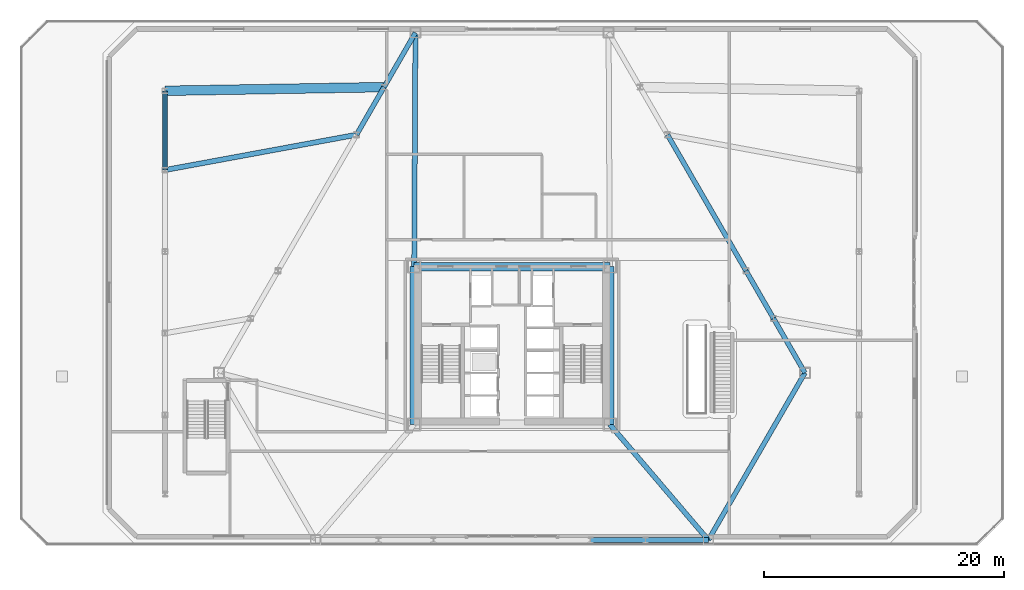
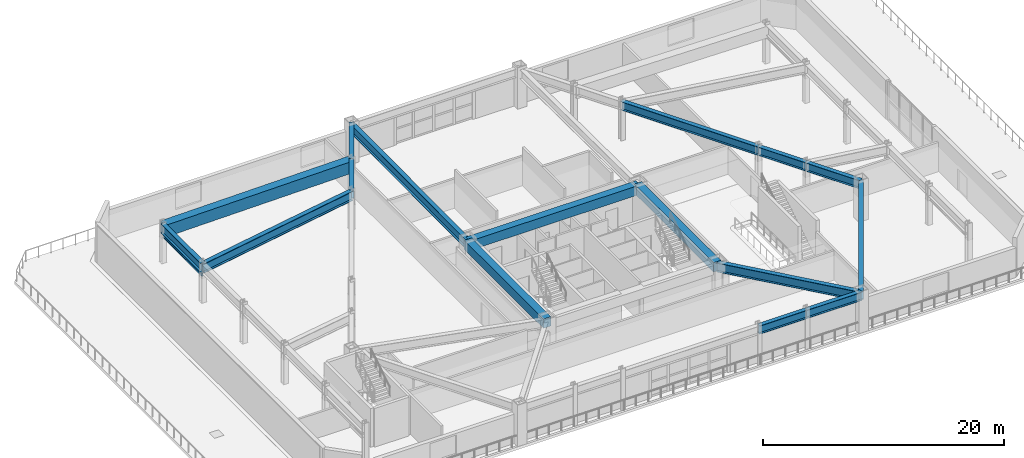
# One storey, part 3 of 16: 17 beams.
"""IFC4 building model written with IfcOpenShell, lengths in metres."""

from ifc_helpers import new_model, si_unit, direction, frame, origin, origin_2d, place, context, subcontext, project, spatial, rectangle, hollow_rectangle, i_section, extrude, material, material_profile, profile_set, type_object, element, save


model = new_model("IFC4")

# Units and contexts
model_context = context("Model", 3, precision=1e-05, world=origin(), true_north=direction((0.0, 1.0)))
body_context = subcontext(model_context, "Body", "Model", "MODEL_VIEW")
ifc_project = project(units=[si_unit("LENGTHUNIT", "METRE"), si_unit("AREAUNIT", "SQUARE_METRE"), si_unit("VOLUMEUNIT", "CUBIC_METRE"), si_unit("PLANEANGLEUNIT", "RADIAN"), si_unit("MASSUNIT", "GRAM", prefix="KILO")], contexts=[model_context])

# Site, building, storey
site_placement = place(None, origin())
site = spatial("IfcSite", under=ifc_project, at=site_placement, CompositionType="ELEMENT")
building_placement = place(site_placement, origin())
building = spatial("IfcBuilding", under=site, at=building_placement, Name="Oramaril Tower", CompositionType="ELEMENT")
storey_placement = place(building_placement, frame((0.0, 0.0, 9.89990234375)))
storey = spatial("IfcBuildingStorey", under=building, at=storey_placement, Name="L02", CompositionType="ELEMENT", Elevation=9.89990234375)

# Beams
ifc_material_1 = material(Name="Concrete C50/60", Category="concrete")
ifc_material_profile_1 = material_profile(ifc_material_1, rectangle(XDim=0.699951171875, YDim=0.949951171875, at=origin_2d()), Name="CB700X950")
ifc_profile_set_1 = profile_set([ifc_material_profile_1], Name="Concrete C50/60")
beam_type_1 = type_object("IfcBeamType", Name="BT-CB1", PredefinedType="BEAM", material=ifc_profile_set_1)
beam_1_placement = place(storey_placement, frame((45.64990234375, 11.0, 3.445068359375), z_axis=(0.0, 1.0, 0.0), x_axis=(-1.0, 0.0, 0.0)))
element("IfcBeam", 1, at=beam_1_placement, inside=storey, type_object=beam_type_1, Name="L02 Core Header Beam CB-2", PredefinedType="BEAM", context=body_context, shape_type="SweptSolid", body=[
    extrude(rectangle(XDim=0.699951171875, YDim=0.949951171875, at=origin_2d()), origin(), (0.0, 0.0, 1.0), 13.14990234375),
])
beam_2_placement = place(storey_placement, frame((45.64990234375, 24.14990234375, 3.445068359375), z_axis=(-1.0, 0.0, 0.0), x_axis=(0.0, -1.0, 0.0)))
element("IfcBeam", 2, at=beam_2_placement, inside=storey, type_object=beam_type_1, Name="L02 Core Header Beam CB-3", PredefinedType="BEAM", context=body_context, shape_type="SweptSolid", body=[
    extrude(rectangle(XDim=0.699951171875, YDim=0.949951171875, at=origin_2d()), origin(), (0.0, 0.0, 1.0), 16.2998046875),
])
beam_3_placement = place(storey_placement, frame((29.35009765625, 24.14990234375, 3.445068359375), z_axis=(0.0, -1.0, 0.0), x_axis=(1.0, 0.0, 0.0)))
element("IfcBeam", 3, at=beam_3_placement, inside=storey, type_object=beam_type_1, Name="L02 Core Header Beam CB-4", PredefinedType="BEAM", context=body_context, shape_type="SweptSolid", body=[
    extrude(rectangle(XDim=0.699951171875, YDim=0.949951171875, at=origin_2d()), origin(), (0.0, 0.0, 1.0), 13.14990234375),
])
ifc_material_2 = material(Name="Steel ASTM A572 Gr 50", Category="steel")
ifc_material_profile_2 = material_profile(ifc_material_2, i_section(OverallWidth=0.1650390625, OverallDepth=0.31005859375, WebThickness=0.005859375, FlangeThickness=0.009765625, at=origin_2d()), Name="W12X26")
ifc_profile_set_2 = profile_set([ifc_material_profile_2], Name="Steel ASTM A572 Gr 50")
beam_type_2 = type_object("IfcBeamType", Name="BT-LN1", PredefinedType="LINTEL", material=ifc_profile_set_2)
beam_4_placement = place(storey_placement, frame((8.60009765625, 32.199951171875, 2.695068359375), z_axis=(0.0, 1.0, 0.0), x_axis=(-1.0, 0.0, 0.0)))
element("IfcBeam", 4, at=beam_4_placement, inside=storey, type_object=beam_type_2, Name="L02 Podium Opening Lintel Beam", PredefinedType="LINTEL", context=body_context, shape_type="SweptSolid", body=[
    extrude(i_section(OverallWidth=0.1650390625, OverallDepth=0.31005859375, WebThickness=0.005859375, FlangeThickness=0.009765625, at=origin_2d()), origin(), (0.0, 0.0, 1.0), 6.60009765625),
])
ifc_material_3 = material(Name="Steel ASTM A572 Gr 50", Category="steel")
ifc_material_profile_3 = material_profile(ifc_material_3, i_section(OverallWidth=0.424072265625, OverallDepth=0.947021484375, WebThickness=0.02392578125, FlangeThickness=0.042724609375, at=origin_2d()), Name="W36X302")
ifc_profile_set_3 = profile_set([ifc_material_profile_3], Name="Steel ASTM A572 Gr 50")
beam_type_3 = type_object("IfcBeamType", Name="BT-PG1", PredefinedType="BEAM", material=ifc_profile_set_3)
beam_5_placement = place(storey_placement, frame((8.60009765625, 32.199951171875, 3.446533203125), z_axis=(0.983441112449, 0.181227973404, 0.0), x_axis=(-0.181227973404, 0.983441112449, 0.0)))
element("IfcBeam", 5, at=beam_5_placement, inside=storey, type_object=beam_type_3, Name="L02 Podium Clear-Span Girder 05", PredefinedType="BEAM", context=body_context, shape_type="SweptSolid", body=[
    extrude(i_section(OverallWidth=0.424072265625, OverallDepth=0.947021484375, WebThickness=0.02392578125, FlangeThickness=0.042724609375, at=origin_2d()), origin(), (0.0, 0.0, 1.0), 16.211669921875),
])
ifc_material_4 = material(Name="Steel ASTM A572 Gr 50", Category="steel")
ifc_material_profile_4 = material_profile(ifc_material_4, i_section(OverallWidth=0.4189453125, OverallDepth=0.927001953125, WebThickness=0.019287109375, FlangeThickness=0.031982421875, at=origin_2d()), Name="W36X231")
ifc_profile_set_4 = profile_set([ifc_material_profile_4], Name="Steel ASTM A572 Gr 50")
beam_type_4 = type_object("IfcBeamType", Name="BT-PG2", PredefinedType="BEAM", material=ifc_profile_set_4)
beam_6_placement = place(storey_placement, frame((45.64990234375, 11.0, 3.45654296875), z_axis=(0.64848466157, -0.761227721322, 0.0), x_axis=(0.761227721322, 0.64848466157, 0.0)))
element("IfcBeam", 6, at=beam_6_placement, inside=storey, type_object=beam_type_4, Name="L02 Radial Primary Beam RB-03", PredefinedType="BEAM", context=body_context, shape_type="SweptSolid", body=[
    extrude(i_section(OverallWidth=0.4189453125, OverallDepth=0.927001953125, WebThickness=0.019287109375, FlangeThickness=0.031982421875, at=origin_2d()), origin(), (0.0, 0.0, 1.0), 12.66357421875),
])
beam_7_placement = place(storey_placement, frame((29.35009765625, 24.14990234375, 3.45654296875), z_axis=(0.005223463456, 0.999986357622, 0.0), x_axis=(-0.999986357622, 0.005223463456, 0.0)))
element("IfcBeam", 7, at=beam_7_placement, inside=storey, type_object=beam_type_4, Name="L02 Radial Primary Beam RB-06", PredefinedType="BEAM", context=body_context, shape_type="SweptSolid", body=[
    extrude(i_section(OverallWidth=0.4189453125, OverallDepth=0.927001953125, WebThickness=0.019287109375, FlangeThickness=0.031982421875, at=origin_2d()), origin(), (0.0, 0.0, 1.0), 19.490234375),
])
beam_8_placement = place(storey_placement, frame((8.60009765625, 32.199951171875, 3.45654296875), z_axis=(0.0, 1.0, 0.0), x_axis=(-1.0, 0.0, 0.0)))
element("IfcBeam", 8, at=beam_8_placement, inside=storey, type_object=beam_type_4, Name="L02 Podium Perimeter Girder 05", PredefinedType="BEAM", context=body_context, shape_type="SweptSolid", body=[
    extrude(i_section(OverallWidth=0.4189453125, OverallDepth=0.927001953125, WebThickness=0.019287109375, FlangeThickness=0.031982421875, at=origin_2d()), origin(), (0.0, 0.0, 1.0), 6.60009765625),
])
ifc_material_5 = material(Name="Steel ASTM A572 Gr 50", Category="steel")
ifc_material_profile_5 = material_profile(ifc_material_5, i_section(OverallWidth=0.40087890625, OverallDepth=0.85595703125, WebThickness=0.018310546875, FlangeThickness=0.029296875, at=origin_2d()), Name="W33X201")
ifc_profile_set_5 = profile_set([ifc_material_profile_5], Name="Steel ASTM A572 Gr 50")
beam_type_5 = type_object("IfcBeamType", Name="BT-SP1", PredefinedType="SPANDREL", material=ifc_profile_set_5)
beam_9_placement = place(storey_placement, frame((44.044921875, 1.360107421875, 3.4921875), z_axis=(1.0, 0.0, 0.0), x_axis=(0.0, 1.0, 0.0)))
element("IfcBeam", 9, at=beam_9_placement, inside=storey, type_object=beam_type_5, Name="L02 Perimeter Spandrel 05", PredefinedType="SPANDREL", context=body_context, shape_type="SweptSolid", body=[
    extrude(i_section(OverallWidth=0.40087890625, OverallDepth=0.85595703125, WebThickness=0.018310546875, FlangeThickness=0.029296875, at=origin_2d()), origin(), (0.0, 0.0, 1.0), 4.581298828125),
])
beam_10_placement = place(storey_placement, frame((48.626220703125, 1.360107421875, 3.4921875), z_axis=(1.0, 0.0, 0.0), x_axis=(0.0, 1.0, 0.0)))
element("IfcBeam", 10, at=beam_10_placement, inside=storey, type_object=beam_type_5, Name="L02 Perimeter Spandrel 06", PredefinedType="SPANDREL", context=body_context, shape_type="SweptSolid", body=[
    extrude(i_section(OverallWidth=0.40087890625, OverallDepth=0.85595703125, WebThickness=0.018310546875, FlangeThickness=0.029296875, at=origin_2d()), origin(), (0.0, 0.0, 1.0), 5.23583984375),
])
beam_11_placement = place(storey_placement, frame((53.862060546875, 1.360107421875, 3.4921875), z_axis=(0.500005168208, 0.866022419898, 0.0), x_axis=(-0.866022419898, 0.500005168208, 0.0)))
element("IfcBeam", 11, at=beam_11_placement, inside=storey, type_object=beam_type_5, Name="L02 Perimeter Spandrel 07", PredefinedType="SPANDREL", context=body_context, shape_type="SweptSolid", body=[
    extrude(i_section(OverallWidth=0.40087890625, OverallDepth=0.85595703125, WebThickness=0.018310546875, FlangeThickness=0.029296875, at=origin_2d()), origin(), (0.0, 0.0, 1.0), 16.096435546875),
])
beam_12_placement = place(storey_placement, frame((61.910400390625, 15.300048828125, 3.4921875), z_axis=(-0.499995574394, 0.866027958894, 0.0), x_axis=(-0.866027958894, -0.499995574394, 0.0)))
element("IfcBeam", 12, at=beam_12_placement, inside=storey, type_object=beam_type_5, Name="L02 Perimeter Spandrel 08", PredefinedType="SPANDREL", context=body_context, shape_type="SweptSolid", body=[
    extrude(i_section(OverallWidth=0.40087890625, OverallDepth=0.85595703125, WebThickness=0.018310546875, FlangeThickness=0.029296875, at=origin_2d()), origin(), (0.0, 0.0, 1.0), 5.23583984375),
])
beam_13_placement = place(storey_placement, frame((59.29248046875, 19.83447265625, 3.4921875), z_axis=(-0.500019215235, 0.866014309579, 0.0), x_axis=(-0.866014309579, -0.500019215235, 0.0)))
element("IfcBeam", 13, at=beam_13_placement, inside=storey, type_object=beam_type_5, Name="L02 Perimeter Spandrel 09", PredefinedType="SPANDREL", context=body_context, shape_type="SweptSolid", body=[
    extrude(i_section(OverallWidth=0.40087890625, OverallDepth=0.85595703125, WebThickness=0.018310546875, FlangeThickness=0.029296875, at=origin_2d()), origin(), (0.0, 0.0, 1.0), 4.581298828125),
])
beam_14_placement = place(storey_placement, frame((57.001708984375, 23.802001953125, 3.4921875), z_axis=(-0.50000660679, 0.866021589319, 0.0), x_axis=(-0.866021589319, -0.50000660679, 0.0)))
element("IfcBeam", 14, at=beam_14_placement, inside=storey, type_object=beam_type_5, Name="L02 Perimeter Spandrel 10", PredefinedType="SPANDREL", context=body_context, shape_type="SweptSolid", body=[
    extrude(i_section(OverallWidth=0.40087890625, OverallDepth=0.85595703125, WebThickness=0.018310546875, FlangeThickness=0.029296875, at=origin_2d()), origin(), (0.0, 0.0, 1.0), 13.089599609375),
])
beam_15_placement = place(storey_placement, frame((29.451904296875, 43.639892578125, 3.4921875), z_axis=(-0.500015765613, -0.866016301312, 0.0), x_axis=(0.866016301312, -0.500015765613, 0.0)))
element("IfcBeam", 15, at=beam_15_placement, inside=storey, type_object=beam_type_5, Name="L02 Perimeter Spandrel 14", PredefinedType="SPANDREL", context=body_context, shape_type="SweptSolid", body=[
    extrude(i_section(OverallWidth=0.40087890625, OverallDepth=0.85595703125, WebThickness=0.018310546875, FlangeThickness=0.029296875, at=origin_2d()), origin(), (0.0, 0.0, 1.0), 5.235595703125),
])
beam_16_placement = place(storey_placement, frame((26.833984375, 39.105712890625, 3.4921875), z_axis=(-0.499996140324, -0.866027632158, 0.0), x_axis=(0.866027632158, -0.499996140324, 0.0)))
element("IfcBeam", 16, at=beam_16_placement, inside=storey, type_object=beam_type_5, Name="L02 Perimeter Spandrel 15", PredefinedType="SPANDREL", context=body_context, shape_type="SweptSolid", body=[
    extrude(i_section(OverallWidth=0.40087890625, OverallDepth=0.85595703125, WebThickness=0.018310546875, FlangeThickness=0.029296875, at=origin_2d()), origin(), (0.0, 0.0, 1.0), 4.58154296875),
])
ifc_material_6 = material(Name="Steel ASTM A572 Gr 50", Category="steel")
ifc_material_profile_6 = material_profile(ifc_material_6, hollow_rectangle(XDim=0.800048828125, YDim=1.199951171875, WallThickness=0.074951171875, at=origin_2d()), Name="BOX1200X800X75")
ifc_profile_set_6 = profile_set([ifc_material_profile_6], Name="Steel ASTM A572 Gr 50")
beam_type_6 = type_object("IfcBeamType", Name="BT-TT1", PredefinedType="BEAM", material=ifc_profile_set_6)
beam_17_placement = place(storey_placement, frame((8.60009765625, 38.800048828125, 3.320068359375), z_axis=(0.999859521862, 0.016761161682, 0.0), x_axis=(-0.016761161682, 0.999859521862, 0.0)))
element("IfcBeam", 17, at=beam_17_placement, inside=storey, type_object=beam_type_6, Name="L02 Podium Clear-Span Girder 06", PredefinedType="BEAM", context=body_context, shape_type="SweptSolid", body=[
    extrude(hollow_rectangle(XDim=0.800048828125, YDim=1.199951171875, WallThickness=0.074951171875, at=origin_2d()), origin(), (0.0, 0.0, 1.0), 18.236328125),
])

save(model, "model.ifc")
